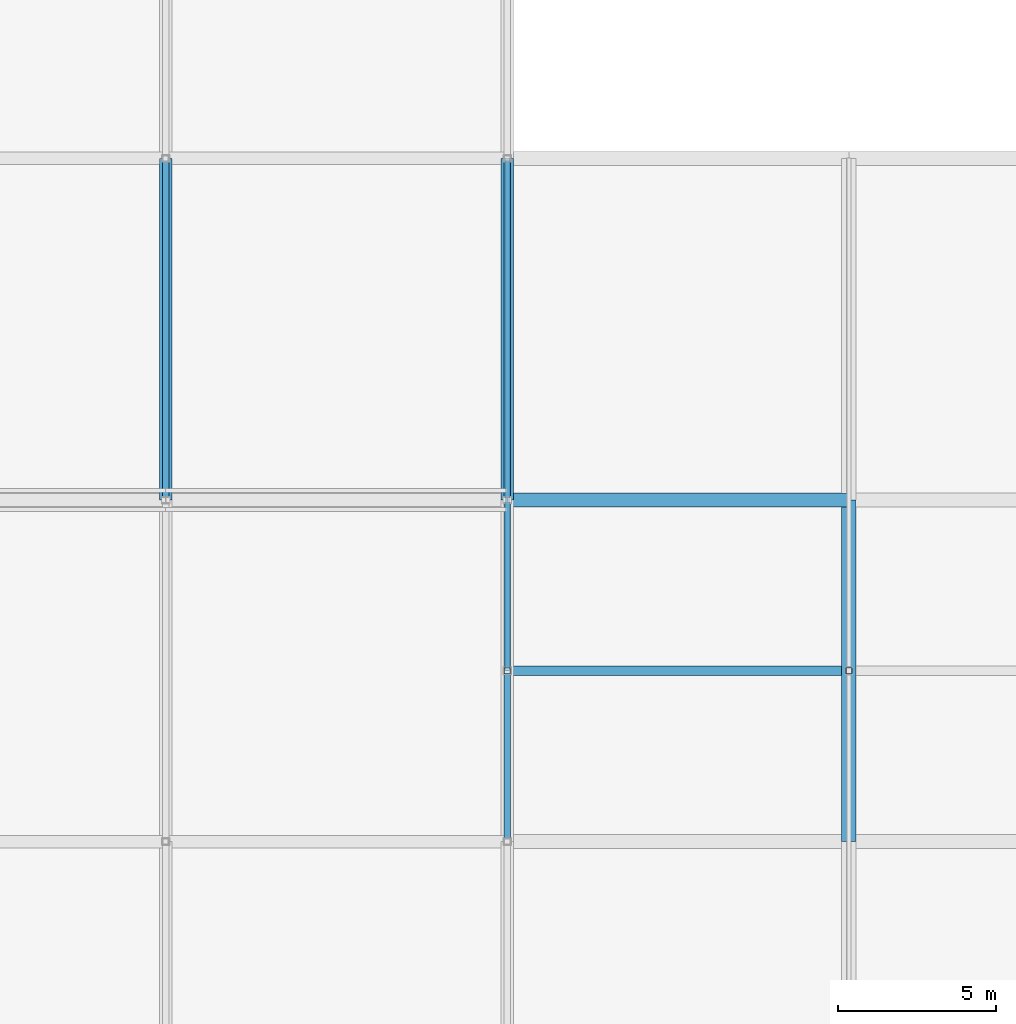
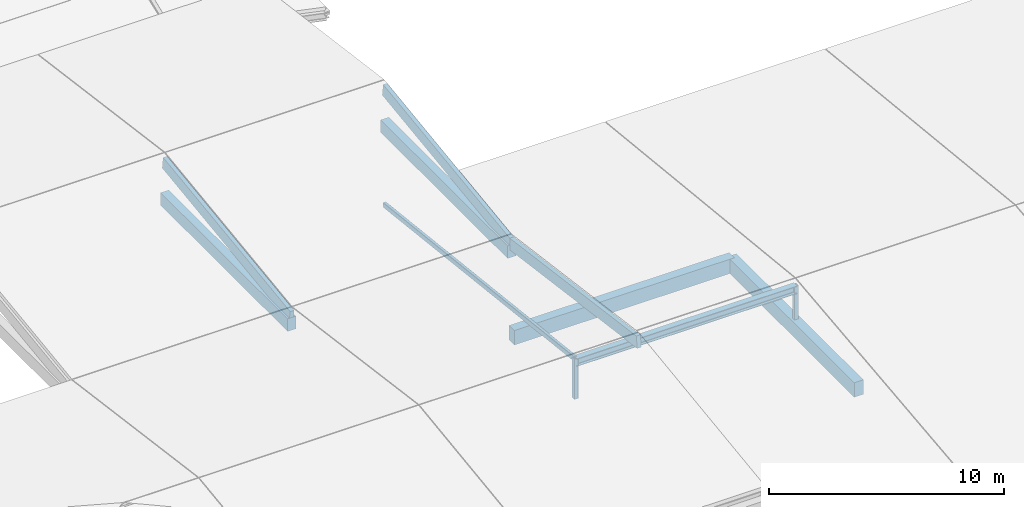
# One storey, part 54 of 112: 6 members, 5 beams.
"""IFC4 building model written with IfcOpenShell, lengths in metres."""

from ifc_helpers import new_model, si_unit, direction, frame, origin, origin_2d, place, context, subcontext, project, spatial, rectangle, hollow_rectangle, i_section, extrude, material, material_profile, profile_set, type_object, element, save


model = new_model("IFC4")

# Units and contexts
model_context = context("Model", 3, precision=1e-05, world=origin(), true_north=direction((0.0, 1.0)))
body_context = subcontext(model_context, "Body", "Model", "MODEL_VIEW")
ifc_project = project(units=[si_unit("LENGTHUNIT", "METRE"), si_unit("AREAUNIT", "SQUARE_METRE"), si_unit("VOLUMEUNIT", "CUBIC_METRE"), si_unit("PLANEANGLEUNIT", "RADIAN"), si_unit("MASSUNIT", "GRAM", prefix="KILO")], contexts=[model_context])

# Site, building, storey
site_placement = place(None, origin())
site = spatial("IfcSite", under=ifc_project, at=site_placement, CompositionType="ELEMENT")
building_placement = place(site_placement, origin())
building = spatial("IfcBuilding", under=site, at=building_placement, Name="Zwinboog Wholesale Market", CompositionType="ELEMENT")
storey_placement = place(building_placement, frame((0.0, 0.0, 19.080078125)))
storey = spatial("IfcBuildingStorey", under=building, at=storey_placement, Name="Roof", CompositionType="ELEMENT", Elevation=19.080078125)

# Beams
ifc_material_1 = material(Name="Precast concrete C45/55", Category="concrete")
ifc_material_profile_1 = material_profile(ifc_material_1, rectangle(XDim=0.449951171875, YDim=0.75, at=origin_2d()), Name="PC 450x750")
ifc_profile_set_1 = profile_set([ifc_material_profile_1], Name="Precast concrete C45/55")
beam_type_1 = type_object("IfcBeamType", Name="BT-04", PredefinedType="BEAM", material=ifc_profile_set_1)
for number, where, z_axis, x_axis, name in (
    (1, (172.800048828125, 21.60009765625, -4.695068359375), (1.0, 0.0, 0.0), (0.0, 1.0, 0.0), "BG-04 (BMG-Roof-1728-0216-1261)"),
    (2, (183.60009765625, 10.800048828125, -4.695068359375), (0.0, 1.0, 0.0), (-1.0, 0.0, 0.0), "BG-04 (BMG-Roof-1836-0108-1276)"),
):
    element("IfcBeam", number, at=place(storey_placement, frame(where, z_axis=z_axis, x_axis=x_axis)), inside=storey, type_object=beam_type_1, Name=name, PredefinedType="BEAM", context=body_context, shape_type="SweptSolid", body=[
        extrude(rectangle(XDim=0.449951171875, YDim=0.75, at=origin_2d()), origin(), (0.0, 0.0, 1.0), 10.800048828125),
    ])
ifc_material_profile_2 = material_profile(ifc_material_1, rectangle(XDim=0.39990234375, YDim=0.64990234375, at=origin_2d()), Name="PC 400x650")
ifc_profile_set_2 = profile_set([ifc_material_profile_2], Name="Precast concrete C45/55")
beam_type_2 = type_object("IfcBeamType", Name="BT-05", PredefinedType="BEAM", material=ifc_profile_set_2)
for number, where, z_axis, x_axis, name in (
    (3, (162.0, 21.60009765625, -0.3251953125), (0.0, 1.0, 0.0), (-1.0, 0.0, 0.0), "BG-05 (BMG-Roof-1620-0216-1313)"),
    (4, (172.800048828125, 21.60009765625, -0.3251953125), (0.0, 1.0, 0.0), (-1.0, 0.0, 0.0), "BG-05 (BMG-Roof-1728-0216-1317)"),
):
    element("IfcBeam", number, at=place(storey_placement, frame(where, z_axis=z_axis, x_axis=x_axis)), inside=storey, type_object=beam_type_2, Name=name, PredefinedType="BEAM", context=body_context, shape_type="SweptSolid", body=[
        extrude(rectangle(XDim=0.39990234375, YDim=0.64990234375, at=origin_2d()), origin(), (0.0, 0.0, 1.0), 10.7998046875),
    ])
ifc_material_2 = material(Name="Steel S355", Category="steel")
ifc_material_profile_3 = material_profile(ifc_material_2, i_section(OverallWidth=0.300048828125, OverallDepth=0.39990234375, WebThickness=0.013427734375, FlangeThickness=0.02392578125, FilletRadius=0.027099609375, at=origin_2d()), Name="HEB 400")
ifc_profile_set_3 = profile_set([ifc_material_profile_3], Name="Steel S355")
beam_type_3 = type_object("IfcBeamType", Name="BT-15", PredefinedType="BEAM", material=ifc_profile_set_3)
beam_placement = place(storey_placement, frame((172.800048828125, 16.199951171875, -2.760009765625), z_axis=(1.0, 0.0, 0.0), x_axis=(0.0, 1.0, 0.0)))
element("IfcBeam", 5, at=beam_placement, inside=storey, type_object=beam_type_3, Name="SB-02 (BMG-Roof-1728-0162-1319)", PredefinedType="BEAM", context=body_context, shape_type="SweptSolid", body=[
    extrude(i_section(OverallWidth=0.300048828125, OverallDepth=0.39990234375, WebThickness=0.013427734375, FlangeThickness=0.02392578125, FilletRadius=0.027099609375, at=origin_2d()), origin(), (0.0, 0.0, 1.0), 10.800048828125),
])

# Members
ifc_material_profile_4 = material_profile(ifc_material_2, hollow_rectangle(XDim=0.14990234375, YDim=0.25, WallThickness=0.010009765625, InnerFilletRadius=0.010009765625, OuterFilletRadius=0.02001953125, at=origin_2d()), Name="RHS 250x150x10")
ifc_profile_set_4 = profile_set([ifc_material_profile_4], Name="Steel S355")
member_type_1 = type_object("IfcMemberType", Name="MT-02", PredefinedType="CHORD", material=ifc_profile_set_4)
member_1_placement = place(storey_placement, frame((172.800048828125, 32.39990234375, -4.469970703125), z_axis=(0.0, -0.993612545096, 0.11284551488), x_axis=(1.0, 0.0, 0.0)))
element("IfcMember", 6, at=member_1_placement, inside=storey, type_object=member_type_1, Name="DC-02 (MEM-Roof-0886)", PredefinedType="CHORD", context=body_context, shape_type="SweptSolid", body=[
    extrude(hollow_rectangle(XDim=0.14990234375, YDim=0.25, WallThickness=0.010009765625, InnerFilletRadius=0.010009765625, OuterFilletRadius=0.02001953125, at=origin_2d()), origin(), (0.0, 0.0, 1.0), 16.30419921875),
])
ifc_material_profile_5 = material_profile(ifc_material_2, hollow_rectangle(XDim=0.199951171875, YDim=0.199951171875, WallThickness=0.010009765625, InnerFilletRadius=0.010009765625, OuterFilletRadius=0.02001953125, at=origin_2d()), Name="SHS 200x200x10")
ifc_profile_set_5 = profile_set([ifc_material_profile_5], Name="Steel S355")
member_type_2 = type_object("IfcMemberType", Name="MT-04", PredefinedType="BRACE", material=ifc_profile_set_5)
for number, where, z_axis, x_axis, name in (
    (7, (172.800048828125, 16.199951171875, -4.670166015625), (0.0, 0.0, 1.0), (1.0, 0.0, 0.0), "DB-01 (MEM-Roof-0884)"),
    (8, (183.60009765625, 16.199951171875, -4.670166015625), (0.0, 0.0, 1.0), (1.0, 0.0, 0.0), "DB-01 (MEM-Roof-0887)"),
):
    element("IfcMember", number, at=place(storey_placement, frame(where, z_axis=z_axis, x_axis=x_axis)), inside=storey, type_object=member_type_2, Name=name, PredefinedType="BRACE", context=body_context, shape_type="SweptSolid", body=[
        extrude(hollow_rectangle(XDim=0.199951171875, YDim=0.199951171875, WallThickness=0.010009765625, InnerFilletRadius=0.010009765625, OuterFilletRadius=0.02001953125, at=origin_2d()), origin(), (0.0, 0.0, 1.0), 2.090087890625),
    ])
ifc_material_3 = material(Name="Glulam GL28h", Category="wood")
ifc_material_profile_6 = material_profile(ifc_material_3, rectangle(XDim=0.199951171875, YDim=0.60009765625, at=origin_2d()), Name="GL28h 200x600")
ifc_profile_set_6 = profile_set([ifc_material_profile_6], Name="Glulam GL28h")
member_type_3 = type_object("IfcMemberType", Name="MT-11", PredefinedType="RAFTER", material=ifc_profile_set_6)
member_2_placement = place(storey_placement, frame((172.800048828125, 10.800048828125, 1.52001953125), z_axis=(0.0, 0.99110498434, -0.133082342993), x_axis=(-1.0, 0.0, 0.0)))
element("IfcMember", 9, at=member_2_placement, inside=storey, type_object=member_type_3, Name="GR-03 (MEM-Roof-0926)", PredefinedType="RAFTER", context=body_context, shape_type="SweptSolid", body=[
    extrude(rectangle(XDim=0.199951171875, YDim=0.60009765625, at=origin_2d()), origin(), (0.0, 0.0, 1.0), 10.89697265625),
])
for number, where, z_axis, x_axis, name in (
    (10, (162.0, 21.60009765625, 0.06982421875), (0.0, 0.991104587524, 0.133085298171), (-1.0, 0.0, 0.0), "GR-03 (MEM-Roof-0935)"),
    (11, (172.800048828125, 21.60009765625, 0.06982421875), (0.0, 0.991104587524, 0.133085298171), (-1.0, 0.0, 0.0), "GR-03 (MEM-Roof-0939)"),
):
    element("IfcMember", number, at=place(storey_placement, frame(where, z_axis=z_axis, x_axis=x_axis)), inside=storey, type_object=member_type_3, Name=name, PredefinedType="RAFTER", context=body_context, shape_type="SweptSolid", body=[
        extrude(rectangle(XDim=0.199951171875, YDim=0.60009765625, at=origin_2d()), origin(), (0.0, 0.0, 1.0), 10.896728515625),
    ])

save(model, "model.ifc")
